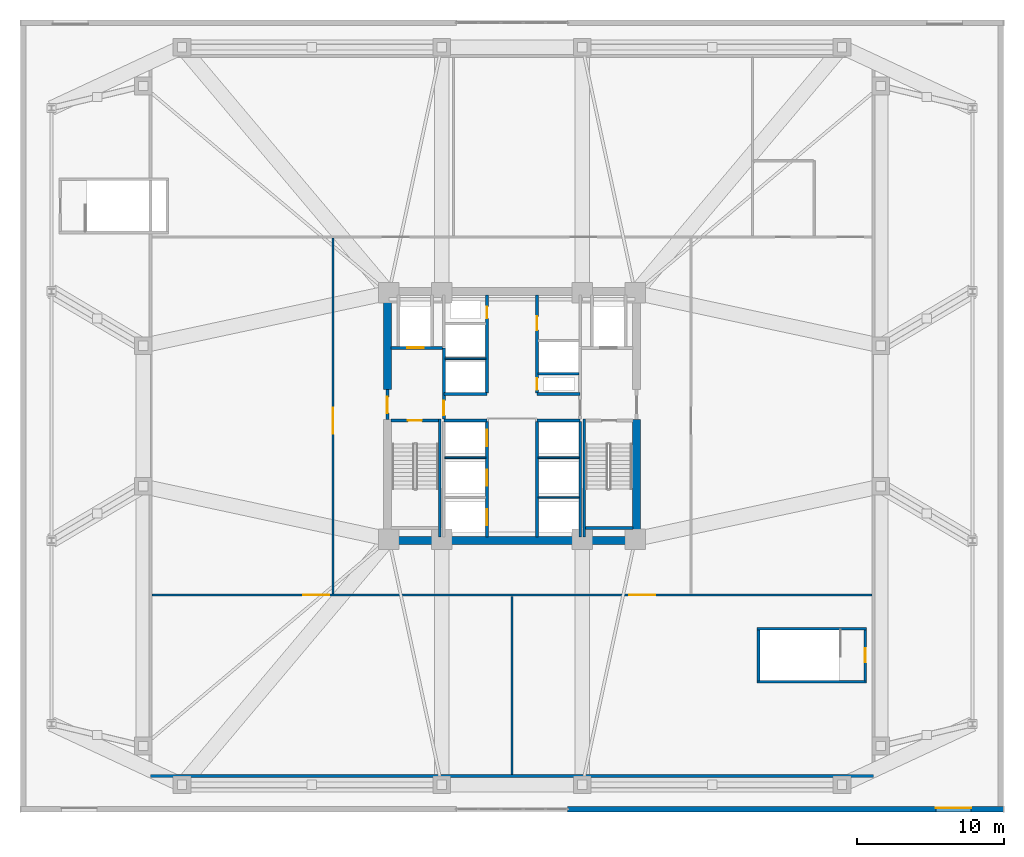
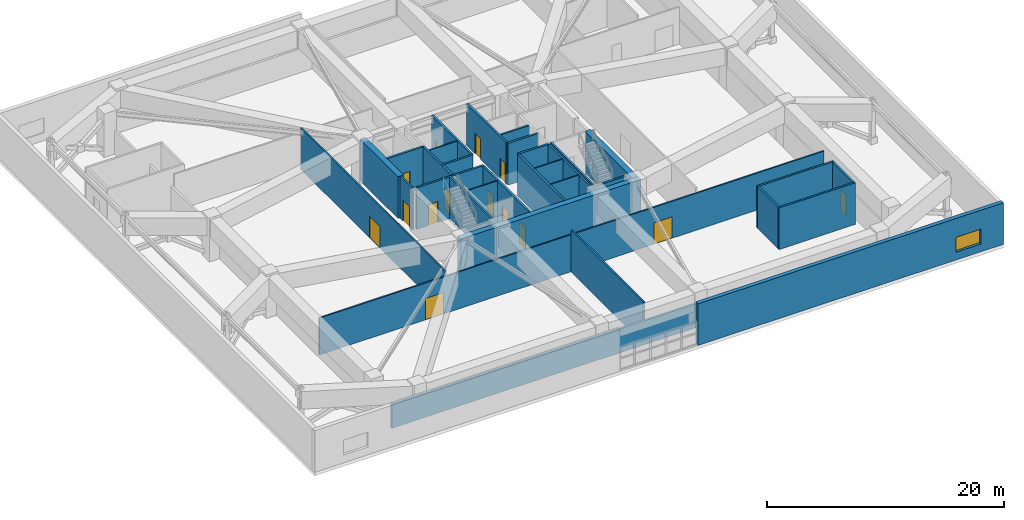
# One storey, part 11 of 19: 33 walls, 14 doors, 1 window, 15 openings.
"""IFC4 building model written with IfcOpenShell, lengths in metres."""

from ifc_helpers import new_model, si_unit, direction, frame, frame_2d, origin, place, context, subcontext, project, spatial, rectangle, extrude, material, layer, layer_set, type_object, element, fill, save


model = new_model("IFC4")

# Units and contexts
model_context = context("Model", 3, precision=1e-05, world=origin(), true_north=direction((0.0, 1.0)))
body_context = subcontext(model_context, "Body", "Model", "MODEL_VIEW")
ifc_project = project(units=[si_unit("LENGTHUNIT", "METRE"), si_unit("AREAUNIT", "SQUARE_METRE"), si_unit("VOLUMEUNIT", "CUBIC_METRE"), si_unit("PLANEANGLEUNIT", "RADIAN"), si_unit("MASSUNIT", "GRAM", prefix="KILO")], contexts=[model_context])

# Site, building, storey
site_placement = place(None, origin())
site = spatial("IfcSite", under=ifc_project, at=site_placement, CompositionType="ELEMENT")
building_placement = place(site_placement, origin())
building = spatial("IfcBuilding", under=site, at=building_placement, Name="Cairnveth Concourse Tower", CompositionType="ELEMENT")
storey_placement = place(building_placement, frame((0.0, 0.0, 19.0)))
storey = spatial("IfcBuildingStorey", under=building, at=storey_placement, Name="L04", CompositionType="ELEMENT", Elevation=19.0)

# Walls
ifc_material_1 = material(Name="Gypsum Plasterboard Partition", Category="gypsum")
ifc_layer_1 = layer(ifc_material_1, 0.159912109375)
ifc_layer_set_1 = layer_set([ifc_layer_1], Name="Gypsum Plasterboard Partition")
wall_type_1 = type_object("IfcWallType", Name="ACOUSTIC PARTY WALL 180", PredefinedType="PARTITIONING", material=ifc_layer_set_1)
wall_1_placement = place(storey_placement, frame((52.0, 14.550048828125, 0.0), z_axis=(0.0, 0.0, 1.0), x_axis=(0.0, 1.0, 0.0)))
element("IfcWall", 1, at=wall_1_placement, inside=storey, type_object=wall_type_1, Name="Interior Wall IW-L04-045", PredefinedType="PARTITIONING", context=body_context, shape_type="SweptSolid", body=[
    extrude(rectangle(XDim=12.14990234375, YDim=0.159912109375, at=frame_2d((6.074951171875, 0.0))), origin(), (0.0, 0.0, 1.0), 4.280029296875),
])
ifc_material_2 = material(Name="Concrete N80 (80 MPa)", Category="concrete")
ifc_layer_2 = layer(ifc_material_2, 0.550048828125)
ifc_layer_set_2 = layer_set([ifc_layer_2], Name="Concrete N80 (80 MPa)")
wall_type_2 = type_object("IfcWallType", Name="CORE SHEAR WALL 550", PredefinedType="SHEAR", material=ifc_layer_set_2)
wall_2_placement = place(storey_placement, frame((43.22509765625, 30.5, 0.0), z_axis=(0.0, 0.0, 1.0), x_axis=(1.0, 0.0, 0.0)))
element("IfcWall", 2, at=wall_2_placement, inside=storey, type_object=wall_type_2, Name="Core South Shear Wall L04", PredefinedType="SHEAR", context=body_context, shape_type="SweptSolid", body=[
    extrude(rectangle(XDim=17.5498046875, YDim=0.550048828125, at=frame_2d((8.77490234375, 0.0))), origin(), (0.0, 0.0, 1.0), 4.280029296875),
])
wall_3_placement = place(storey_placement, frame((43.5, 40.800048828125, 0.0), z_axis=(0.0, 0.0, 1.0), x_axis=(0.0, 1.0, 0.0)))
element("IfcWall", 3, at=wall_3_placement, inside=storey, type_object=wall_type_2, Name="Core West Shear Wall N L04", PredefinedType="SHEAR", context=body_context, shape_type="SweptSolid", body=[
    extrude(rectangle(XDim=6.43505859375, YDim=0.550048828125, at=frame_2d((3.217529296875, 0.0))), origin(), (0.0, 0.0, 1.0), 4.280029296875),
])
wall_4_placement = place(storey_placement, frame((60.5, 30.764892578125, 0.0), z_axis=(0.0, 0.0, 1.0), x_axis=(0.0, 1.0, 0.0)))
element("IfcWall", 4, at=wall_4_placement, inside=storey, type_object=wall_type_2, Name="Core East Shear Wall S L04", PredefinedType="SHEAR", context=body_context, shape_type="SweptSolid", body=[
    extrude(rectangle(XDim=7.985107421875, YDim=0.550048828125, at=frame_2d((3.99267578125, 0.0))), origin(), (0.0, 0.0, 1.0), 4.280029296875),
])
ifc_material_3 = material(Name="Concrete N50 (50 MPa)", Category="concrete")
ifc_layer_3 = layer(ifc_material_3, 0.179931640625)
ifc_layer_set_3 = layer_set([ifc_layer_3], Name="Concrete N50 (50 MPa)")
wall_type_3 = type_object("IfcWallType", Name="FIRE SHAFT WALL 180", PredefinedType="SOLIDWALL", material=ifc_layer_set_3)
wall_5_placement = place(storey_placement, frame((56.64990234375, 30.760009765625, 0.0), z_axis=(0.0, 0.0, 1.0), x_axis=(0.0, 1.0, 0.0)))
element("IfcWall", 5, at=wall_5_placement, inside=storey, type_object=wall_type_3, Name="Interior Wall IW-L04-028", PredefinedType="SOLIDWALL", context=body_context, shape_type="SweptSolid", body=[
    extrude(rectangle(XDim=7.85498046875, YDim=0.179931640625, at=frame_2d((3.927490234375, 0.0))), origin(), (0.0, 0.0, 1.0), 4.280029296875),
])
wall_6_placement = place(storey_placement, frame((53.784912109375, 41.8798828125, 0.0), z_axis=(0.0, 0.0, 1.0), x_axis=(1.0, 0.0, 0.0)))
element("IfcWall", 6, at=wall_6_placement, inside=storey, type_object=wall_type_3, Name="Interior Wall IW-L04-035", PredefinedType="SOLIDWALL", context=body_context, shape_type="SweptSolid", body=[
    extrude(rectangle(XDim=2.780029296875, YDim=0.179931640625, at=frame_2d((1.39013671875, 0.0))), origin(), (0.0, 0.0, 1.0), 4.280029296875),
])

# Wall, opening, door
wall_7_placement = place(storey_placement, frame((43.764892578125, 38.68994140625, 0.0), z_axis=(0.0, 0.0, 1.0), x_axis=(1.0, 0.0, 0.0)))
wall_7 = element("IfcWall", 7, at=wall_7_placement, inside=storey, type_object=wall_type_3, Name="Stair ST-1 Shaft Wall NEAR L04", PredefinedType="SOLIDWALL", context=body_context, shape_type="SweptSolid", body=[
    extrude(rectangle(XDim=3.230224609375, YDim=0.179931640625, at=frame_2d((1.615234375, 0.0))), origin(), (0.0, 0.0, 1.0), 4.280029296875),
])
opening_1_placement = place(wall_7_placement, frame((1.139892578125, 0.0, 0.0)))
opening_1 = element("IfcOpeningElement", 8, at=opening_1_placement, cuts=wall_7, Name="Opening ID12", PredefinedType="OPENING", context=body_context, shape_type="SweptSolid", body=[
    extrude(rectangle(XDim=0.949951171875, YDim=2.14990234375, at=frame_2d((0.47509765625, 1.074951171875))), frame((0.0, 0.099853515625, 0.0), z_axis=(0.0, -1.0, 0.0), x_axis=(1.0, 0.0, 0.0)), (0.0, 0.0, 1.0), 0.199951171875),
])
ifc_material_4 = material(Name="Steel Grade 350", Category="steel")
door_type_1 = type_object("IfcDoorType", Name="FIRE STAIR DOOR 950X2150", OperationType="NOTDEFINED", PredefinedType="DOOR", material=ifc_material_4)
door_1_placement = place(opening_1_placement, origin())
door_1 = element("IfcDoor", 9, at=door_1_placement, inside=storey, type_object=door_type_1, Name="Stair ST-1 Fire Door L04", OperationType="SINGLE_SWING_LEFT", OverallHeight=2.14990234375, OverallWidth=0.949951171875, PredefinedType="DOOR", context=body_context, shape_type="SweptSolid", body=[
    extrude(rectangle(XDim=0.949951171875, YDim=2.14990234375, at=frame_2d((0.47509765625, 1.074951171875))), frame((0.0, 0.02490234375, 0.0), z_axis=(0.0, -1.0, 0.0), x_axis=(1.0, 0.0, 0.0)), (0.0, 0.0, 1.0), 0.050048828125),
])
fill(opening_1, door_1)

# Walls
wall_8_placement = place(storey_placement, frame((47.070068359375, 38.780029296875, 0.0), z_axis=(0.0, 0.0, 1.0), x_axis=(0.0, -1.0, 0.0)))
element("IfcWall", 10, at=wall_8_placement, inside=storey, type_object=wall_type_3, Name="Stair ST-1 Shaft Wall RGHT L04", PredefinedType="SOLIDWALL", context=body_context, shape_type="SweptSolid", body=[
    extrude(rectangle(XDim=8.01708984375, YDim=0.179931640625, at=frame_2d((4.008544921875, 0.0))), origin(), (0.0, 0.0, 1.0), 4.280029296875),
])
wall_9_placement = place(storey_placement, frame((57.0048828125, 31.360107421875, 0.0), z_axis=(0.0, 0.0, 1.0), x_axis=(1.0, 0.0, 0.0)))
element("IfcWall", 11, at=wall_9_placement, inside=storey, type_object=wall_type_3, Name="Stair ST-2 Shaft Wall FAR L04", PredefinedType="SOLIDWALL", context=body_context, shape_type="SweptSolid", body=[
    extrude(rectangle(XDim=3.230224609375, YDim=0.179931640625, at=frame_2d((1.615234375, 0.0))), origin(), (0.0, 0.0, 1.0), 4.280029296875),
])
wall_10_placement = place(storey_placement, frame((56.929931640625, 38.780029296875, 0.0), z_axis=(0.0, 0.0, 1.0), x_axis=(0.0, -1.0, 0.0)))
element("IfcWall", 12, at=wall_10_placement, inside=storey, type_object=wall_type_3, Name="Stair ST-2 Shaft Wall LEFT L04", PredefinedType="SOLIDWALL", context=body_context, shape_type="SweptSolid", body=[
    extrude(rectangle(XDim=8.01708984375, YDim=0.179931640625, at=frame_2d((4.008544921875, 0.0))), origin(), (0.0, 0.0, 1.0), 4.280029296875),
])

# Wall, opening, door
wall_11_placement = place(storey_placement, frame((76.090087890625, 24.4150390625, 0.0), z_axis=(0.0, 0.0, 1.0), x_axis=(0.0, -1.0, 0.0)))
wall_11 = element("IfcWall", 13, at=wall_11_placement, inside=storey, type_object=wall_type_3, Name="Stair ST-P2 Shaft Wall NEAR L04", PredefinedType="SOLIDWALL", context=body_context, shape_type="SweptSolid", body=[
    extrude(rectangle(XDim=3.469970703125, YDim=0.179931640625, at=frame_2d((1.73486328125, 0.0))), origin(), (0.0, 0.0, 1.0), 4.280029296875),
])
opening_2_placement = place(wall_11_placement, frame((1.260009765625, 0.0, 0.0)))
opening_2 = element("IfcOpeningElement", 14, at=opening_2_placement, cuts=wall_11, Name="Opening ID12", PredefinedType="OPENING", context=body_context, shape_type="SweptSolid", body=[
    extrude(rectangle(XDim=0.949951171875, YDim=2.14990234375, at=frame_2d((0.47509765625, 1.074951171875))), frame((0.0, 0.099853515625, 0.0), z_axis=(0.0, -1.0, 0.0), x_axis=(1.0, 0.0, 0.0)), (0.0, 0.0, 1.0), 0.199951171875),
])
door_2_placement = place(opening_2_placement, origin())
door_2 = element("IfcDoor", 15, at=door_2_placement, inside=storey, type_object=door_type_1, Name="Stair ST-P2 Fire Door L04", OperationType="SINGLE_SWING_RIGHT", OverallHeight=2.14990234375, OverallWidth=0.949951171875, PredefinedType="DOOR", context=body_context, shape_type="SweptSolid", body=[
    extrude(rectangle(XDim=0.949951171875, YDim=2.14990234375, at=frame_2d((0.47509765625, 1.074951171875))), frame((0.0, 0.02490234375, 0.0), z_axis=(0.0, -1.0, 0.0), x_axis=(1.0, 0.0, 0.0)), (0.0, 0.0, 1.0), 0.050048828125),
])
fill(opening_2, door_2)

# Walls
wall_12_placement = place(storey_placement, frame((68.81005859375, 24.4150390625, 0.0), z_axis=(0.0, 0.0, 1.0), x_axis=(0.0, -1.0, 0.0)))
element("IfcWall", 16, at=wall_12_placement, inside=storey, type_object=wall_type_3, Name="Stair ST-P2 Shaft Wall FAR L04", PredefinedType="SOLIDWALL", context=body_context, shape_type="SweptSolid", body=[
    extrude(rectangle(XDim=3.469970703125, YDim=0.179931640625, at=frame_2d((1.73486328125, 0.0))), origin(), (0.0, 0.0, 1.0), 4.280029296875),
])
for number, where, z_axis, x_axis, name in (
    (17, (76.179931640625, 24.489990234375, 0.0), (0.0, 0.0, 1.0), (-1.0, 0.0, 0.0), "Stair ST-P2 Shaft Wall LEFT L04"),
    (18, (76.179931640625, 20.8701171875, 0.0), (0.0, 0.0, 1.0), (-1.0, 0.0, 0.0), "Stair ST-P2 Shaft Wall RGHT L04"),
):
    element("IfcWall", number, at=place(storey_placement, frame(where, z_axis=z_axis, x_axis=x_axis)), inside=storey, type_object=wall_type_3, Name=name, PredefinedType="SOLIDWALL", context=body_context, shape_type="SweptSolid", body=[
        extrude(rectangle(XDim=7.4599609375, YDim=0.179931640625, at=frame_2d((3.72998046875, 0.0))), origin(), (0.0, 0.0, 1.0), 4.280029296875),
    ])
ifc_layer_4 = layer(ifc_material_3, 0.199951171875)
ifc_layer_set_4 = layer_set([ifc_layer_4], Name="Concrete N50 (50 MPa)")
wall_type_4 = type_object("IfcWallType", Name="FIRE SHAFT WALL 200", PredefinedType="SOLIDWALL", material=ifc_layer_set_4)
for number, where, z_axis, x_axis, name in (
    (19, (47.35009765625, 38.699951171875, 0.0), (0.0, 0.0, 1.0), (1.0, 0.0, 0.0), "Interior Wall IW-L04-007"),
    (20, (47.35009765625, 40.5, 0.0), (0.0, 0.0, 1.0), (1.0, 0.0, 0.0), "Interior Wall IW-L04-008"),
    (21, (53.699951171875, 38.699951171875, 0.0), (0.0, 0.0, 1.0), (1.0, 0.0, 0.0), "Interior Wall IW-L04-009"),
    (22, (53.699951171875, 40.5, 0.0), (0.0, 0.0, 1.0), (1.0, 0.0, 0.0), "Interior Wall IW-L04-010"),
):
    element("IfcWall", number, at=place(storey_placement, frame(where, z_axis=z_axis, x_axis=x_axis)), inside=storey, type_object=wall_type_4, Name=name, PredefinedType="SOLIDWALL", context=body_context, shape_type="SweptSolid", body=[
        extrude(rectangle(XDim=2.949951171875, YDim=0.199951171875, at=frame_2d((1.47509765625, 0.0))), origin(), (0.0, 0.0, 1.0), 4.280029296875),
    ])

# Wall, openings, doors
wall_13_placement = place(storey_placement, frame((50.300048828125, 30.760009765625, 0.0), z_axis=(0.0, 0.0, 1.0), x_axis=(0.0, 1.0, 0.0)))
wall_13 = element("IfcWall", 23, at=wall_13_placement, inside=storey, type_object=wall_type_4, Name="Interior Wall IW-L04-011", PredefinedType="SOLIDWALL", context=body_context, shape_type="SweptSolid", body=[
    extrude(rectangle(XDim=7.85498046875, YDim=0.199951171875, at=frame_2d((3.927490234375, 0.0))), origin(), (0.0, 0.0, 1.0), 4.280029296875),
])
opening_3_placement = place(wall_13_placement, frame((0.7900390625, 0.0, 0.0)))
opening_3 = element("IfcOpeningElement", 24, at=opening_3_placement, cuts=wall_13, Name="Opening LD-1", PredefinedType="OPENING", context=body_context, shape_type="SweptSolid", body=[
    extrude(rectangle(XDim=1.10009765625, YDim=2.199951171875, at=frame_2d((0.550048828125, 1.10009765625))), frame((0.0, 0.10986328125, 0.0), z_axis=(0.0, -1.0, 0.0), x_axis=(1.0, 0.0, 0.0)), (0.0, 0.0, 1.0), 0.219970703125),
])
opening_4_placement = place(wall_13_placement, frame((3.489990234375, 0.0, 0.0)))
opening_4 = element("IfcOpeningElement", 25, at=opening_4_placement, cuts=wall_13, Name="Opening LD-1", PredefinedType="OPENING", context=body_context, shape_type="SweptSolid", body=[
    extrude(rectangle(XDim=1.10009765625, YDim=2.199951171875, at=frame_2d((0.550048828125, 1.10009765625))), frame((0.0, 0.10986328125, 0.0), z_axis=(0.0, -1.0, 0.0), x_axis=(1.0, 0.0, 0.0)), (0.0, 0.0, 1.0), 0.219970703125),
])
opening_5_placement = place(wall_13_placement, frame((6.18994140625, 0.0, 0.0)))
opening_5 = element("IfcOpeningElement", 26, at=opening_5_placement, cuts=wall_13, Name="Opening LD-1", PredefinedType="OPENING", context=body_context, shape_type="SweptSolid", body=[
    extrude(rectangle(XDim=1.10009765625, YDim=2.199951171875, at=frame_2d((0.550048828125, 1.10009765625))), frame((0.0, 0.10986328125, 0.0), z_axis=(0.0, -1.0, 0.0), x_axis=(1.0, 0.0, 0.0)), (0.0, 0.0, 1.0), 0.219970703125),
])
ifc_material_5 = material(Name="Architectural Bronze Anodised Aluminium 6063-T6", Category="aluminium")
door_type_2 = type_object("IfcDoorType", Name="LIFT LANDING DOOR 1100X2200", OperationType="SLIDING_TO_LEFT", PredefinedType="DOOR", material=ifc_material_5)
door_3_placement = place(opening_3_placement, origin())
door_3 = element("IfcDoor", 27, at=door_3_placement, inside=storey, type_object=door_type_2, Name="Lift PL1 Landing Door L04", OperationType="SLIDING_TO_LEFT", OverallHeight=2.199951171875, OverallWidth=1.10009765625, PredefinedType="DOOR", context=body_context, shape_type="SweptSolid", body=[
    extrude(rectangle(XDim=1.10009765625, YDim=2.199951171875, at=frame_2d((0.550048828125, 1.10009765625))), frame((0.0, 0.02490234375, 0.0), z_axis=(0.0, -1.0, 0.0), x_axis=(1.0, 0.0, 0.0)), (0.0, 0.0, 1.0), 0.050048828125),
])
fill(opening_3, door_3)
door_4_placement = place(opening_4_placement, origin())
door_4 = element("IfcDoor", 28, at=door_4_placement, inside=storey, type_object=door_type_2, Name="Lift PL2 Landing Door L04", OperationType="SLIDING_TO_LEFT", OverallHeight=2.199951171875, OverallWidth=1.10009765625, PredefinedType="DOOR", context=body_context, shape_type="SweptSolid", body=[
    extrude(rectangle(XDim=1.10009765625, YDim=2.199951171875, at=frame_2d((0.550048828125, 1.10009765625))), frame((0.0, 0.02490234375, 0.0), z_axis=(0.0, -1.0, 0.0), x_axis=(1.0, 0.0, 0.0)), (0.0, 0.0, 1.0), 0.050048828125),
])
fill(opening_4, door_4)
door_5_placement = place(opening_5_placement, origin())
door_5 = element("IfcDoor", 29, at=door_5_placement, inside=storey, type_object=door_type_2, Name="Lift PL3 Landing Door L04", OperationType="SLIDING_TO_LEFT", OverallHeight=2.199951171875, OverallWidth=1.10009765625, PredefinedType="DOOR", context=body_context, shape_type="SweptSolid", body=[
    extrude(rectangle(XDim=1.10009765625, YDim=2.199951171875, at=frame_2d((0.550048828125, 1.10009765625))), frame((0.0, 0.02490234375, 0.0), z_axis=(0.0, -1.0, 0.0), x_axis=(1.0, 0.0, 0.0)), (0.0, 0.0, 1.0), 0.050048828125),
])
fill(opening_5, door_5)

# Wall
wall_14_placement = place(storey_placement, frame((53.699951171875, 30.760009765625, 0.0), z_axis=(0.0, 0.0, 1.0), x_axis=(0.0, 1.0, 0.0)))
element("IfcWall", 30, at=wall_14_placement, inside=storey, type_object=wall_type_4, Name="Interior Wall IW-L04-012", PredefinedType="SOLIDWALL", context=body_context, shape_type="SweptSolid", body=[
    extrude(rectangle(XDim=7.85498046875, YDim=0.199951171875, at=frame_2d((3.927490234375, 0.0))), origin(), (0.0, 0.0, 1.0), 4.280029296875),
])

# Wall, opening, door
wall_15_placement = place(storey_placement, frame((50.300048828125, 40.5849609375, 0.0), z_axis=(0.0, 0.0, 1.0), x_axis=(0.0, 1.0, 0.0)))
wall_15 = element("IfcWall", 31, at=wall_15_placement, inside=storey, type_object=wall_type_4, Name="Interior Wall IW-L04-013", PredefinedType="SOLIDWALL", context=body_context, shape_type="SweptSolid", body=[
    extrude(rectangle(XDim=6.655029296875, YDim=0.199951171875, at=frame_2d((3.32763671875, 0.0))), origin(), (0.0, 0.0, 1.0), 4.280029296875),
])
opening_6_placement = place(wall_15_placement, frame((5.06494140625, 0.0, 0.0)))
opening_6 = element("IfcOpeningElement", 32, at=opening_6_placement, cuts=wall_15, Name="Opening ID24", PredefinedType="OPENING", context=body_context, shape_type="SweptSolid", body=[
    extrude(rectangle(XDim=0.800048828125, YDim=2.080078125, at=frame_2d((0.39990234375, 1.0400390625))), frame((0.0, 0.10986328125, 0.0), z_axis=(0.0, -1.0, 0.0), x_axis=(1.0, 0.0, 0.0)), (0.0, 0.0, 1.0), 0.219970703125),
])
door_type_3 = type_object("IfcDoorType", Name="RISER ACCESS DOOR 800X2100", OperationType="NOTDEFINED", PredefinedType="DOOR", material=ifc_material_4)
door_6_placement = place(opening_6_placement, origin())
door_6 = element("IfcDoor", 33, at=door_6_placement, inside=storey, type_object=door_type_3, Name="NW Electrical Riser Access Door L04", OperationType="SINGLE_SWING_RIGHT", OverallHeight=2.080078125, OverallWidth=0.800048828125, PredefinedType="DOOR", context=body_context, shape_type="SweptSolid", body=[
    extrude(rectangle(XDim=0.800048828125, YDim=2.080078125, at=frame_2d((0.39990234375, 1.0400390625))), frame((0.0, 0.02490234375, 0.0), z_axis=(0.0, -1.0, 0.0), x_axis=(1.0, 0.0, 0.0)), (0.0, 0.0, 1.0), 0.050048828125),
])
fill(opening_6, door_6)

# Wall, openings, doors
wall_16_placement = place(storey_placement, frame((53.699951171875, 40.5849609375, 0.0), z_axis=(0.0, 0.0, 1.0), x_axis=(0.0, 1.0, 0.0)))
wall_16 = element("IfcWall", 34, at=wall_16_placement, inside=storey, type_object=wall_type_4, Name="Interior Wall IW-L04-014", PredefinedType="SOLIDWALL", context=body_context, shape_type="SweptSolid", body=[
    extrude(rectangle(XDim=6.655029296875, YDim=0.199951171875, at=frame_2d((3.32763671875, 0.0))), origin(), (0.0, 0.0, 1.0), 4.280029296875),
])
opening_7_placement = place(wall_16_placement, frame((0.195068359375, 0.0, 0.0)))
opening_7 = element("IfcOpeningElement", 35, at=opening_7_placement, cuts=wall_16, Name="Opening ID24", PredefinedType="OPENING", context=body_context, shape_type="SweptSolid", body=[
    extrude(rectangle(XDim=0.800048828125, YDim=2.080078125, at=frame_2d((0.39990234375, 1.0400390625))), frame((0.0, 0.10986328125, 0.0), z_axis=(0.0, -1.0, 0.0), x_axis=(1.0, 0.0, 0.0)), (0.0, 0.0, 1.0), 0.219970703125),
])
opening_8_placement = place(wall_16_placement, frame((4.264892578125, 0.0, 0.0)))
opening_8 = element("IfcOpeningElement", 36, at=opening_8_placement, cuts=wall_16, Name="Opening ID25", PredefinedType="OPENING", context=body_context, shape_type="SweptSolid", body=[
    extrude(rectangle(XDim=0.949951171875, YDim=2.1201171875, at=frame_2d((0.47509765625, 1.06005859375))), frame((0.0, 0.10986328125, 0.0), z_axis=(0.0, -1.0, 0.0), x_axis=(1.0, 0.0, 0.0)), (0.0, 0.0, 1.0), 0.219970703125),
])
door_type_4 = type_object("IfcDoorType", Name="CORE ACCESSIBLE FIRE DOOR 950X2120", OperationType="NOTDEFINED", PredefinedType="DOOR", material=ifc_material_4)
door_7_placement = place(opening_8_placement, origin())
door_7 = element("IfcDoor", 37, at=door_7_placement, inside=storey, type_object=door_type_4, Name="Core NE Accessible WC Door L04", OperationType="SINGLE_SWING_RIGHT", OverallHeight=2.1201171875, OverallWidth=0.949951171875, PredefinedType="DOOR", context=body_context, shape_type="SweptSolid", body=[
    extrude(rectangle(XDim=0.949951171875, YDim=2.1201171875, at=frame_2d((0.47509765625, 1.06005859375))), frame((0.0, 0.02490234375, 0.0), z_axis=(0.0, -1.0, 0.0), x_axis=(1.0, 0.0, 0.0)), (0.0, 0.0, 1.0), 0.050048828125),
])
fill(opening_8, door_7)
door_8_placement = place(opening_7_placement, origin())
door_8 = element("IfcDoor", 38, at=door_8_placement, inside=storey, type_object=door_type_3, Name="Hydraulic Riser Door L04", OperationType="SINGLE_SWING_LEFT", OverallHeight=2.080078125, OverallWidth=0.800048828125, PredefinedType="DOOR", context=body_context, shape_type="SweptSolid", body=[
    extrude(rectangle(XDim=0.800048828125, YDim=2.080078125, at=frame_2d((0.39990234375, 1.0400390625))), frame((0.0, 0.02490234375, 0.0), z_axis=(0.0, -1.0, 0.0), x_axis=(1.0, 0.0, 0.0)), (0.0, 0.0, 1.0), 0.050048828125),
])
fill(opening_7, door_8)

# Wall, opening, door
wall_17_placement = place(storey_placement, frame((43.5, 38.75, 0.0), z_axis=(0.0, 0.0, 1.0), x_axis=(0.0, 1.0, 0.0)))
wall_17 = element("IfcWall", 39, at=wall_17_placement, inside=storey, type_object=wall_type_4, Name="Interior Wall IW-L04-015", PredefinedType="SOLIDWALL", context=body_context, shape_type="SweptSolid", body=[
    extrude(rectangle(XDim=2.050048828125, YDim=0.199951171875, at=frame_2d((1.02490234375, 0.0))), origin(), (0.0, 0.0, 1.0), 4.280029296875),
])
opening_9_placement = place(wall_17_placement, frame((0.449951171875, 0.0, 0.0)))
opening_9 = element("IfcOpeningElement", 40, at=opening_9_placement, cuts=wall_17, Name="Opening ID06", PredefinedType="OPENING", context=body_context, shape_type="SweptSolid", body=[
    extrude(rectangle(XDim=1.10009765625, YDim=2.14990234375, at=frame_2d((0.550048828125, 1.074951171875))), frame((0.0, 0.10986328125, 0.0), z_axis=(0.0, -1.0, 0.0), x_axis=(1.0, 0.0, 0.0)), (0.0, 0.0, 1.0), 0.219970703125),
])
door_type_5 = type_object("IfcDoorType", Name="FIRE CORRIDOR DOOR 1100X2150", OperationType="NOTDEFINED", PredefinedType="DOOR", material=ifc_material_4)
door_9_placement = place(opening_9_placement, origin())
door_9 = element("IfcDoor", 41, at=door_9_placement, inside=storey, type_object=door_type_5, Name="West Wing to FF Lobby Door L04", OperationType="SINGLE_SWING_LEFT", OverallHeight=2.14990234375, OverallWidth=1.10009765625, PredefinedType="DOOR", context=body_context, shape_type="SweptSolid", body=[
    extrude(rectangle(XDim=1.10009765625, YDim=2.14990234375, at=frame_2d((0.550048828125, 1.074951171875))), frame((0.0, 0.02490234375, 0.0), z_axis=(0.0, -1.0, 0.0), x_axis=(1.0, 0.0, 0.0)), (0.0, 0.0, 1.0), 0.050048828125),
])
fill(opening_9, door_9)

wall_18_placement = place(storey_placement, frame((47.35009765625, 38.784912109375, 0.0), z_axis=(0.0, 0.0, 1.0), x_axis=(0.0, 1.0, 0.0)))
wall_18 = element("IfcWall", 42, at=wall_18_placement, inside=storey, type_object=wall_type_4, Name="Interior Wall IW-L04-016", PredefinedType="SOLIDWALL", context=body_context, shape_type="SweptSolid", body=[
    extrude(rectangle(XDim=4.864990234375, YDim=0.199951171875, at=frame_2d((2.4326171875, 0.0))), origin(), (0.0, 0.0, 1.0), 4.280029296875),
])
opening_10_placement = place(wall_18_placement, frame((0.264892578125, 0.0, 0.0)))
opening_10 = element("IfcOpeningElement", 43, at=opening_10_placement, cuts=wall_18, Name="Opening ID07", PredefinedType="OPENING", context=body_context, shape_type="SweptSolid", body=[
    extrude(rectangle(XDim=1.0, YDim=2.14990234375, at=frame_2d((0.5, 1.074951171875))), frame((0.0, 0.10986328125, 0.0), z_axis=(0.0, -1.0, 0.0), x_axis=(1.0, 0.0, 0.0)), (0.0, 0.0, 1.0), 0.219970703125),
])
door_type_6 = type_object("IfcDoorType", Name="FIRE CORRIDOR DOOR 1000X2150", OperationType="NOTDEFINED", PredefinedType="DOOR", material=ifc_material_4)
door_10_placement = place(opening_10_placement, origin())
door_10 = element("IfcDoor", 44, at=door_10_placement, inside=storey, type_object=door_type_6, Name="FF Lobby West to Lift Lobby Door L04", OperationType="SINGLE_SWING_RIGHT", OverallHeight=2.14990234375, OverallWidth=1.0, PredefinedType="DOOR", context=body_context, shape_type="SweptSolid", body=[
    extrude(rectangle(XDim=1.0, YDim=2.14990234375, at=frame_2d((0.5, 1.074951171875))), frame((0.0, 0.02490234375, 0.0), z_axis=(0.0, -1.0, 0.0), x_axis=(1.0, 0.0, 0.0)), (0.0, 0.0, 1.0), 0.050048828125),
])
fill(opening_10, door_10)

wall_19_placement = place(storey_placement, frame((43.760009765625, 43.64990234375, 0.0), z_axis=(0.0, 0.0, 1.0), x_axis=(1.0, 0.0, 0.0)))
wall_19 = element("IfcWall", 45, at=wall_19_placement, inside=storey, type_object=wall_type_4, Name="Interior Wall IW-L04-017", PredefinedType="SOLIDWALL", context=body_context, shape_type="SweptSolid", body=[
    extrude(rectangle(XDim=3.5048828125, YDim=0.199951171875, at=frame_2d((1.75244140625, 0.0))), origin(), (0.0, 0.0, 1.0), 4.280029296875),
])
opening_11_placement = place(wall_19_placement, frame((1.110107421875, 0.0, 0.0)))
opening_11 = element("IfcOpeningElement", 46, at=opening_11_placement, cuts=wall_19, Name="Opening LD-1", PredefinedType="OPENING", context=body_context, shape_type="SweptSolid", body=[
    extrude(rectangle(XDim=1.10009765625, YDim=2.199951171875, at=frame_2d((0.550048828125, 1.10009765625))), frame((0.0, 0.10986328125, 0.0), z_axis=(0.0, -1.0, 0.0), x_axis=(1.0, 0.0, 0.0)), (0.0, 0.0, 1.0), 0.219970703125),
])
door_11_placement = place(opening_11_placement, origin())
door_11 = element("IfcDoor", 47, at=door_11_placement, inside=storey, type_object=door_type_2, Name="Lift FFL1 Landing Door L04", OperationType="SLIDING_TO_LEFT", OverallHeight=2.199951171875, OverallWidth=1.10009765625, PredefinedType="DOOR", context=body_context, shape_type="SweptSolid", body=[
    extrude(rectangle(XDim=1.10009765625, YDim=2.199951171875, at=frame_2d((0.550048828125, 1.10009765625))), frame((0.0, 0.02490234375, 0.0), z_axis=(0.0, -1.0, 0.0), x_axis=(1.0, 0.0, 0.0)), (0.0, 0.0, 1.0), 0.050048828125),
])
fill(opening_11, door_11)

# Wall
wall_20_placement = place(storey_placement, frame((27.35009765625, 14.449951171875, 0.0), z_axis=(0.0, 0.0, 1.0), x_axis=(1.0, 0.0, 0.0)))
element("IfcWall", 48, at=wall_20_placement, inside=storey, type_object=wall_type_4, Name="L04 South Transfer Truss Plenum Wall", PredefinedType="SOLIDWALL", context=body_context, shape_type="SweptSolid", body=[
    extrude(rectangle(XDim=49.2998046875, YDim=0.199951171875, at=frame_2d((24.64990234375, 0.0))), origin(), (0.0, 0.0, 1.0), 2.455078125),
])

# Wall, openings, doors
ifc_layer_5 = layer(ifc_material_1, 0.139892578125)
ifc_layer_set_5 = layer_set([ifc_layer_5], Name="Gypsum Plasterboard Partition")
wall_type_5 = type_object("IfcWallType", Name="GYPSUM STUD PARTITION 140", PredefinedType="PARTITIONING", material=ifc_layer_set_5)
wall_21_placement = place(storey_placement, frame((27.449951171875, 26.800048828125, 0.0), z_axis=(0.0, 0.0, 1.0), x_axis=(1.0, 0.0, 0.0)))
wall_21 = element("IfcWall", 49, at=wall_21_placement, inside=storey, type_object=wall_type_5, Name="Interior Wall IW-L04-041", PredefinedType="PARTITIONING", context=body_context, shape_type="SweptSolid", body=[
    extrude(rectangle(XDim=49.10009765625, YDim=0.139892578125, at=frame_2d((24.550048828125, 0.0))), origin(), (0.0, 0.0, 1.0), 3.798095703125),
])
opening_12_placement = place(wall_21_placement, frame((10.330078125, 0.0, 0.0)))
opening_12 = element("IfcOpeningElement", 50, at=opening_12_placement, cuts=wall_21, Name="Opening ID27", PredefinedType="OPENING", context=body_context, shape_type="SweptSolid", body=[
    extrude(rectangle(XDim=1.760009765625, YDim=2.199951171875, at=frame_2d((0.8798828125, 1.10009765625))), frame((0.0, 0.079833984375, 0.0), z_axis=(0.0, -1.0, 0.0), x_axis=(1.0, 0.0, 0.0)), (0.0, 0.0, 1.0), 0.159912109375),
])
opening_13_placement = place(wall_21_placement, frame((32.550048828125, 0.0, 0.0)))
opening_13 = element("IfcOpeningElement", 51, at=opening_13_placement, cuts=wall_21, Name="Opening ID27", PredefinedType="OPENING", context=body_context, shape_type="SweptSolid", body=[
    extrude(rectangle(XDim=1.760009765625, YDim=2.199951171875, at=frame_2d((0.8798828125, 1.10009765625))), frame((0.0, 0.079833984375, 0.0), z_axis=(0.0, -1.0, 0.0), x_axis=(1.0, 0.0, 0.0)), (0.0, 0.0, 1.0), 0.159912109375),
])
ifc_material_6 = material(Name="Solid Core Hardwood Timber Leaf", Category="wood")
door_type_7 = type_object("IfcDoorType", Name="CONCOURSE DOUBLE DOOR 1760X2200", OperationType="DOUBLE_DOOR_SINGLE_SWING", PredefinedType="DOOR", material=ifc_material_6)
door_12_placement = place(opening_12_placement, origin())
door_12 = element("IfcDoor", 52, at=door_12_placement, inside=storey, type_object=door_type_7, Name="Interior Door DR-L04-013", OperationType="DOUBLE_DOOR_SINGLE_SWING", OverallHeight=2.199951171875, OverallWidth=1.760009765625, PredefinedType="DOOR", context=body_context, shape_type="SweptSolid", body=[
    extrude(rectangle(XDim=1.760009765625, YDim=2.199951171875, at=frame_2d((0.8798828125, 1.10009765625))), frame((0.0, 0.02490234375, 0.0), z_axis=(0.0, -1.0, 0.0), x_axis=(1.0, 0.0, 0.0)), (0.0, 0.0, 1.0), 0.050048828125),
])
fill(opening_12, door_12)
door_13_placement = place(opening_13_placement, origin())
door_13 = element("IfcDoor", 53, at=door_13_placement, inside=storey, type_object=door_type_7, Name="Interior Door DR-L04-014", OperationType="DOUBLE_DOOR_SINGLE_SWING", OverallHeight=2.199951171875, OverallWidth=1.760009765625, PredefinedType="DOOR", context=body_context, shape_type="SweptSolid", body=[
    extrude(rectangle(XDim=1.760009765625, YDim=2.199951171875, at=frame_2d((0.8798828125, 1.10009765625))), frame((0.0, 0.02490234375, 0.0), z_axis=(0.0, -1.0, 0.0), x_axis=(1.0, 0.0, 0.0)), (0.0, 0.0, 1.0), 0.050048828125),
])
fill(opening_13, door_13)

# Wall, opening, door
wall_22_placement = place(storey_placement, frame((39.800048828125, 26.85498046875, 0.0), z_axis=(0.0, 0.0, 1.0), x_axis=(0.0, 1.0, 0.0)))
wall_22 = element("IfcWall", 54, at=wall_22_placement, inside=storey, type_object=wall_type_5, Name="Interior Wall IW-L04-043", PredefinedType="PARTITIONING", context=body_context, shape_type="SweptSolid", body=[
    extrude(rectangle(XDim=24.2900390625, YDim=0.139892578125, at=frame_2d((12.14501953125, 0.0))), origin(), (0.0, 0.0, 1.0), 4.280029296875),
])
opening_14_placement = place(wall_22_placement, frame((10.945068359375, 0.0, 0.0)))
opening_14 = element("IfcOpeningElement", 55, at=opening_14_placement, cuts=wall_22, Name="Opening ID27", PredefinedType="OPENING", context=body_context, shape_type="SweptSolid", body=[
    extrude(rectangle(XDim=1.760009765625, YDim=2.199951171875, at=frame_2d((0.8798828125, 1.10009765625))), frame((0.0, 0.079833984375, 0.0), z_axis=(0.0, -1.0, 0.0), x_axis=(1.0, 0.0, 0.0)), (0.0, 0.0, 1.0), 0.159912109375),
])
door_14_placement = place(opening_14_placement, origin())
door_14 = element("IfcDoor", 56, at=door_14_placement, inside=storey, type_object=door_type_7, Name="Interior Door DR-L04-019", OperationType="DOUBLE_DOOR_SINGLE_SWING", OverallHeight=2.199951171875, OverallWidth=1.760009765625, PredefinedType="DOOR", context=body_context, shape_type="SweptSolid", body=[
    extrude(rectangle(XDim=1.760009765625, YDim=2.199951171875, at=frame_2d((0.8798828125, 1.10009765625))), frame((0.0, 0.02490234375, 0.0), z_axis=(0.0, -1.0, 0.0), x_axis=(1.0, 0.0, 0.0)), (0.0, 0.0, 1.0), 0.050048828125),
])
fill(opening_14, door_14)

# Walls
ifc_layer_6 = layer(ifc_material_1, 0.110107421875)
ifc_layer_set_6 = layer_set([ifc_layer_6], Name="Gypsum Plasterboard Partition")
wall_type_6 = type_object("IfcWallType", Name="SHAFT DIVIDER WALL 140", PredefinedType="PARTITIONING", material=ifc_layer_set_6)
for number, where, z_axis, x_axis, name in (
    (57, (47.425048828125, 36.14990234375, 0.0), (0.0, 0.0, 1.0), (1.0, 0.0, 0.0), "Interior Wall IW-L04-027"),
    (58, (53.784912109375, 33.449951171875, 0.0), (0.0, 0.0, 1.0), (1.0, 0.0, 0.0), "Interior Wall IW-L04-029"),
    (59, (53.784912109375, 36.14990234375, 0.0), (0.0, 0.0, 1.0), (1.0, 0.0, 0.0), "Interior Wall IW-L04-030"),
):
    element("IfcWall", number, at=place(storey_placement, frame(where, z_axis=z_axis, x_axis=x_axis)), inside=storey, type_object=wall_type_6, Name=name, PredefinedType="PARTITIONING", context=body_context, shape_type="SweptSolid", body=[
        extrude(rectangle(XDim=2.7900390625, YDim=0.110107421875, at=frame_2d((1.39501953125, 0.0))), origin(), (0.0, 0.0, 1.0), 4.280029296875),
    ])
wall_23_placement = place(storey_placement, frame((47.43505859375, 42.89990234375, 0.0), z_axis=(0.0, 0.0, 1.0), x_axis=(1.0, 0.0, 0.0)))
element("IfcWall", 60, at=wall_23_placement, inside=storey, type_object=wall_type_6, Name="Interior Wall IW-L04-032", PredefinedType="PARTITIONING", context=body_context, shape_type="SweptSolid", body=[
    extrude(rectangle(XDim=2.780029296875, YDim=0.110107421875, at=frame_2d((1.39013671875, 0.0))), origin(), (0.0, 0.0, 1.0), 4.280029296875),
])

# Wall, opening, window
ifc_material_7 = material(Name="Hawthorn Red-Ochre Fired Clay Brick Masonry", Category="masonry")
ifc_layer_7 = layer(ifc_material_7, 0.3798828125)
ifc_layer_set_7 = layer_set([ifc_layer_7], Name="Hawthorn Red-Ochre Fired Clay Brick Masonry")
wall_type_7 = type_object("IfcWallType", Name="UPPER PODIUM BRICK WALL 380", PredefinedType="SOLIDWALL", material=ifc_layer_set_7)
wall_24_placement = place(storey_placement, frame((85.5, 12.18994140625, 0.0), z_axis=(0.0, 0.0, 1.0), x_axis=(-1.0, 0.0, 0.0)))
wall_24 = element("IfcWall", 61, at=wall_24_placement, inside=storey, type_object=wall_type_7, Name="Exterior Wall EW-L04-SE", PredefinedType="SOLIDWALL", context=body_context, shape_type="SweptSolid", body=[
    extrude(rectangle(XDim=29.699951171875, YDim=0.3798828125, at=frame_2d((14.85009765625, 0.0))), origin(), (0.0, 0.0, 1.0), 4.280029296875),
])
opening_15_placement = place(wall_24_placement, frame((2.199951171875, 0.0, 0.800048828125)))
opening_15 = element("IfcOpeningElement", 62, at=opening_15_placement, cuts=wall_24, Name="Opening W11", PredefinedType="OPENING", context=body_context, shape_type="SweptSolid", body=[
    extrude(rectangle(XDim=2.39990234375, YDim=1.530029296875, at=frame_2d((1.199951171875, 0.76513671875))), frame((0.0, 0.199951171875, 0.0), z_axis=(0.0, -1.0, 0.0), x_axis=(1.0, 0.0, 0.0)), (0.0, 0.0, 1.0), 0.39990234375),
])
ifc_material_8 = material(Name="Double Glazed Low-E Clear Glass", Category="glass")
window_type = type_object("IfcWindowType", Name="DEEP-SET PODIUM CLERESTORY WINDOW 2400X1600", PartitioningType="DOUBLE_PANEL_VERTICAL", PredefinedType="WINDOW", material=ifc_material_8)
window_placement = place(opening_15_placement, origin())
window = element("IfcWindow", 63, at=window_placement, inside=storey, type_object=window_type, Name="WIN-L04-SE-1", OverallHeight=1.530029296875, OverallWidth=2.39990234375, PartitioningType="SINGLE_PANEL", PredefinedType="WINDOW", context=body_context, shape_type="SweptSolid", body=[
    extrude(rectangle(XDim=2.39990234375, YDim=1.530029296875, at=frame_2d((1.199951171875, 0.76513671875))), frame((0.0, -0.050048828125, 0.0), z_axis=(0.0, -1.0, 0.0), x_axis=(1.0, 0.0, 0.0)), (0.0, 0.0, 1.0), 0.06005859375),
])
fill(opening_15, window)

save(model, "model.ifc")
